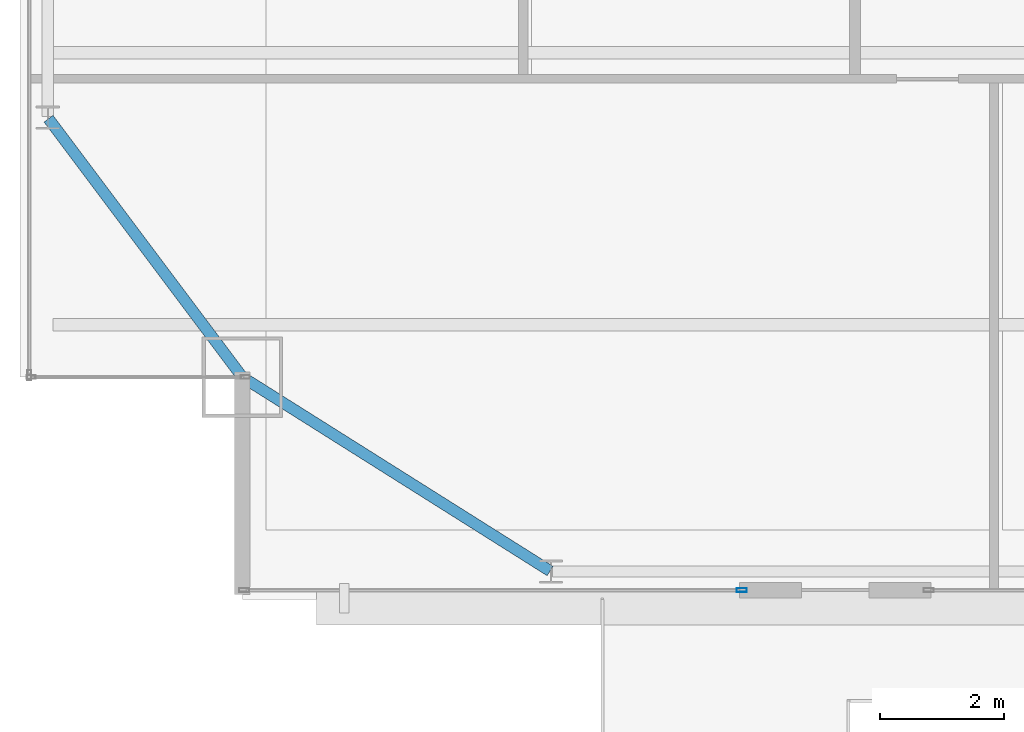
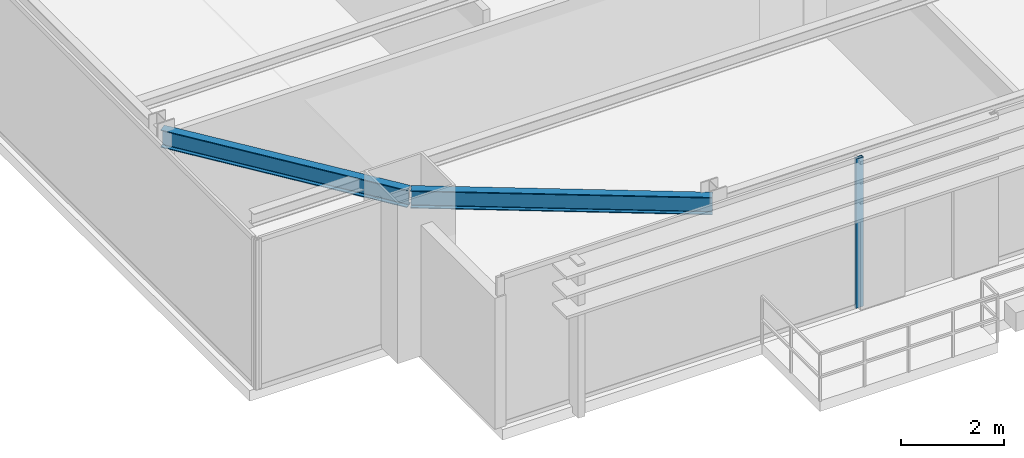
# One storey, part 5 of 31: 2 beams, 1 member, 1 element without a shape of its own.
"""IFC4 building model written with IfcOpenShell, lengths in metres."""

from ifc_helpers import new_model, si_unit, direction, frame, origin, origin_2d, place, context, subcontext, project, spatial, hollow_rectangle, i_section, extrude, source, transform, mapped, material, layer, layer_set, material_profile, profile_set, type_object, type_shapes, element, aggregate, save


model = new_model("IFC4")

# Units and contexts
model_context = context("Model", 3, precision=1e-05, world=origin(), true_north=direction((0.0, 1.0)))
body_context = subcontext(model_context, "Body", "Model", "MODEL_VIEW")
ifc_project = project(units=[si_unit("LENGTHUNIT", "METRE"), si_unit("AREAUNIT", "SQUARE_METRE"), si_unit("VOLUMEUNIT", "CUBIC_METRE"), si_unit("PLANEANGLEUNIT", "RADIAN"), si_unit("MASSUNIT", "GRAM", prefix="KILO")], contexts=[model_context])

# Site, building, storey
site_placement = place(None, origin())
site = spatial("IfcSite", under=ifc_project, at=site_placement, CompositionType="ELEMENT")
building_placement = place(site_placement, origin())
building = spatial("IfcBuilding", under=site, at=building_placement, Name="Varnel Quay Broadcast Tower", CompositionType="ELEMENT")
storey_placement = place(building_placement, frame((0.0, 0.0, 183.800048828125)))
storey = spatial("IfcBuildingStorey", under=building, at=storey_placement, Name="L45", CompositionType="ELEMENT", Elevation=183.800048828125)

# Beams
ifc_material_1 = material(Name="Structural Steel CSA G40.21 350W", Category="steel")
ifc_material_profile_1 = material_profile(ifc_material_1, i_section(OverallWidth=0.180908203125, OverallDepth=0.4169921875, WebThickness=0.010986328125, FlangeThickness=0.018310546875, FilletRadius=0.011962890625, at=origin_2d()), Name="W410X85")
ifc_profile_set_1 = profile_set([ifc_material_profile_1], Name="Structural Steel CSA G40.21 350W")
beam_type = type_object("IfcBeamType", Name="Beam_W410X85", PredefinedType="SPANDREL", material=ifc_profile_set_1)
shared_shape_1 = source(origin(), body_context, "Body", "SweptSolid", [
    extrude(i_section(OverallWidth=0.180908203125, OverallDepth=0.4169921875, WebThickness=0.010986328125, FlangeThickness=0.018310546875, FilletRadius=0.011962890625, at=origin_2d()), origin(), (0.0, 0.0, 1.0), 5.869384765625),
])
beam_1_placement = place(storey_placement, frame((10.616943359375, 10.789306640625, 3.341552734375), z_axis=(0.846088328928, -0.533042718412, 0.0), x_axis=(0.533042718412, 0.846088328928, 0.0)))
element("IfcBeam", 1, at=beam_1_placement, inside=storey, type_object=beam_type, Name="L45 South Spandrel MC-SW-TC-S1", PredefinedType="SPANDREL", context=body_context, shape_type="MappedRepresentation", body=[
    mapped(shared_shape_1, transform((0.0, 0.0, 0.0), x_axis=(1.0, 0.0, 0.0), y_axis=(0.0, 1.0, 0.0), z_axis=(0.0, 0.0, 1.0), scale=1.0)),
])
shared_shape_2 = source(origin(), body_context, "Body", "SweptSolid", [
    extrude(i_section(OverallWidth=0.180908203125, OverallDepth=0.4169921875, WebThickness=0.010986328125, FlangeThickness=0.018310546875, FilletRadius=0.011962890625, at=origin_2d()), origin(), (0.0, 0.0, 1.0), 5.2099609375),
])
type_shapes(beam_type, [shared_shape_1, shared_shape_2])
beam_2_placement = place(storey_placement, frame((10.587890625, 10.81591796875, 3.341552734375), z_axis=(-0.6, 0.8, 0.0), x_axis=(-0.8, -0.6, 0.0)))
element("IfcBeam", 2, at=beam_2_placement, inside=storey, type_object=beam_type, Name="L45 West Spandrel MC-SW-TC-W1", PredefinedType="SPANDREL", context=body_context, shape_type="MappedRepresentation", body=[
    mapped(shared_shape_2, transform((0.0, 0.0, 0.0), x_axis=(1.0, 0.0, 0.0), y_axis=(0.0, 1.0, 0.0), z_axis=(0.0, 0.0, 1.0), scale=1.0)),
])

# Curtain wall, member
ifc_material_2 = material(Name="Anodised Bronze Aluminium 6063-T6", Category="aluminium")
ifc_layer = layer(ifc_material_2, 0.18994140625, Name="Anodised Bronze Aluminium 6063-T6")
ifc_layer_set = layer_set([ifc_layer], Name="Anodised Bronze Aluminium 6063-T6")
curtain_wall_type = type_object("IfcCurtainWallType", Name="CW_UpperTower", PredefinedType="NOTDEFINED", material=ifc_layer_set)
curtain_wall_placement = place(storey_placement, origin())
curtain_wall = element("IfcCurtainWall", 3, at=curtain_wall_placement, inside=storey, type_object=curtain_wall_type, Name="L45 South Unitised Curtain Wall 1", PredefinedType="NOTDEFINED")
ifc_material_profile_2 = material_profile(ifc_material_2, hollow_rectangle(XDim=0.06494140625, YDim=0.1650390625, WallThickness=0.00341796875, at=origin_2d()), Name="ALU65X165X3.5")
ifc_profile_set_2 = profile_set([ifc_material_profile_2], Name="Anodised Bronze Aluminium 6063-T6")
member_type = type_object("IfcMemberType", Name="Mull_CWS-03", PredefinedType="MULLION", material=ifc_profile_set_2)
shared_shape_3 = source(origin(), body_context, "Body", "SweptSolid", [
    extrude(hollow_rectangle(XDim=0.06494140625, YDim=0.1650390625, WallThickness=0.00341796875, at=origin_2d()), origin(), (0.0, 0.0, 1.0), 3.550048828125),
])
type_shapes(member_type, [shared_shape_3])
member_placement = place(storey_placement, frame((18.6875, 7.35009765625, 0.0), z_axis=(0.0, 0.0, 1.0), x_axis=(0.0, 1.0, 0.0)))
member = element("IfcMember", 4, at=member_placement, type_object=member_type, Name="CWS-03 mullion 2", PredefinedType="MULLION", context=body_context, shape_type="MappedRepresentation", body=[
    mapped(shared_shape_3, transform((0.0, 0.0, 0.0), x_axis=(1.0, 0.0, 0.0), y_axis=(0.0, 1.0, 0.0), z_axis=(0.0, 0.0, 1.0), scale=1.0)),
])
aggregate(curtain_wall, [member])

save(model, "model.ifc")
